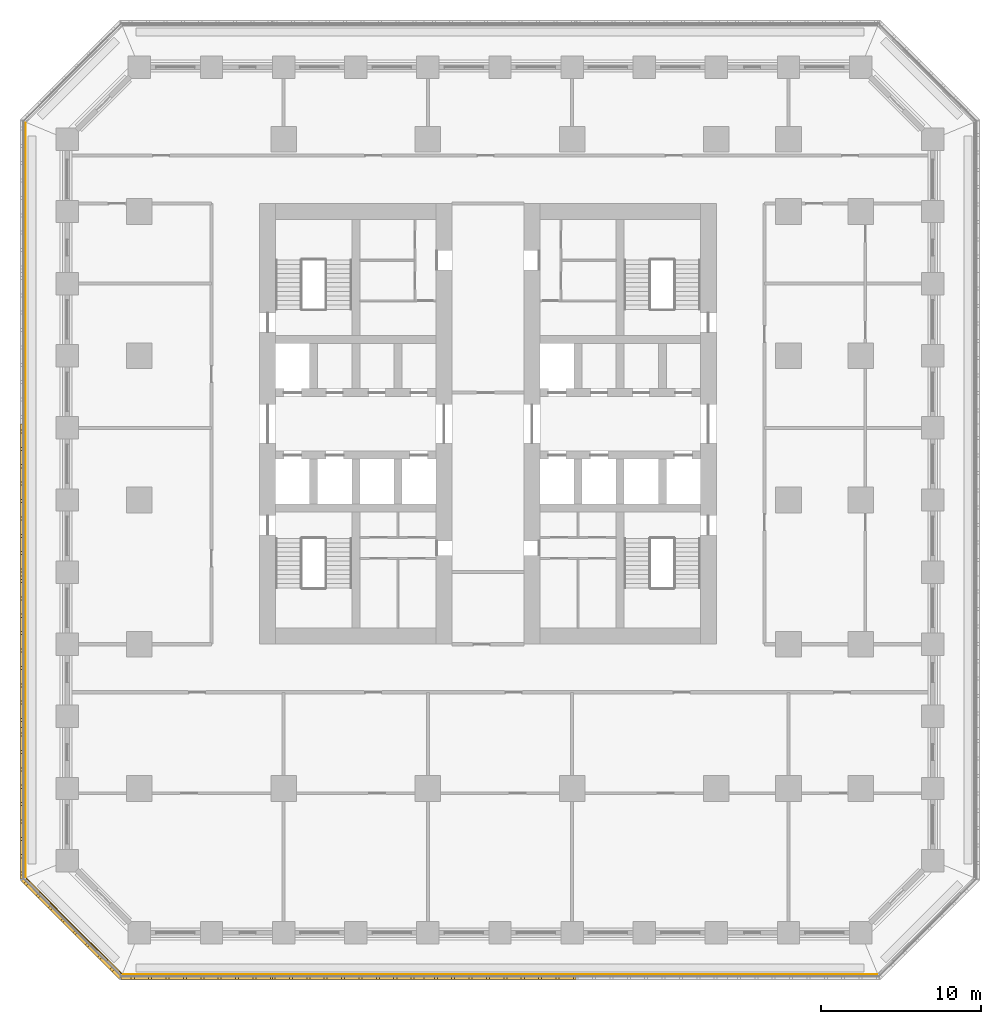
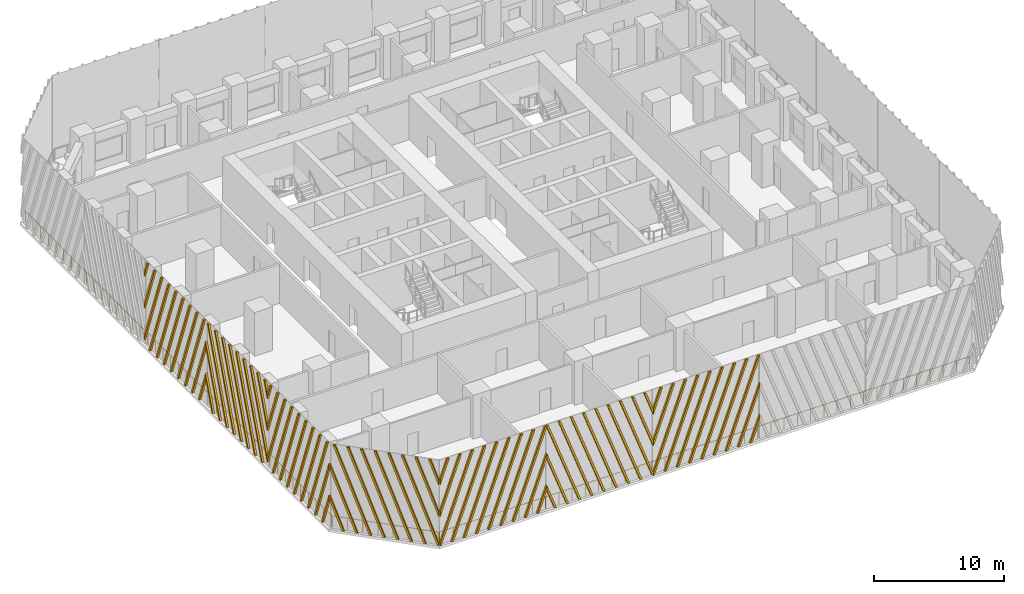
# One storey, part 9 of 14: 7 shading devices, 3 railings.
"""IFC4 building model written with IfcOpenShell, lengths in metres."""

from ifc_helpers import new_model, si_unit, direction, frame, origin, origin_2d, place, context, subcontext, project, spatial, polyline, circle, outline, extrude, source, transform, mapped, material, type_object, element, save


model = new_model("IFC4")

# Units and contexts
model_context = context("Model", 3, precision=1e-05, world=origin(), true_north=direction((0.0, 1.0)))
body_context = subcontext(model_context, "Body", "Model", "MODEL_VIEW")
ifc_project = project(units=[si_unit("LENGTHUNIT", "METRE"), si_unit("AREAUNIT", "SQUARE_METRE"), si_unit("VOLUMEUNIT", "CUBIC_METRE"), si_unit("PLANEANGLEUNIT", "RADIAN"), si_unit("MASSUNIT", "GRAM", prefix="KILO")], contexts=[model_context])

# Site, building, storey
site_placement = place(None, origin())
site = spatial("IfcSite", under=ifc_project, at=site_placement, CompositionType="ELEMENT")
building_placement = place(site_placement, origin())
building = spatial("IfcBuilding", under=site, at=building_placement, Name="Corbel Stack Research Tower", CompositionType="ELEMENT")
storey_placement = place(building_placement, frame((0.0, 0.0, 58.300048828125)))
storey = spatial("IfcBuildingStorey", under=building, at=storey_placement, Name="L13", CompositionType="ELEMENT", Elevation=58.300048828125)

# Railings
ifc_material_1 = material(Name="Powder-coated steel guard", Category="steel")
railing_type = type_object("IfcRailingType", Name="Steel and glass guard 1100", PredefinedType="GUARDRAIL", material=ifc_material_1)
railing_1_placement = place(storey_placement, frame((-19.00537109375, -29.60009765625, 0.0)))
element("IfcRailing", 1, at=railing_1_placement, inside=storey, type_object=railing_type, Name="Loggia guard L13 S", PredefinedType="GUARDRAIL", context=body_context, shape_type="SweptSolid", body=[
    extrude(circle(Radius=0.02392578125, at=origin_2d()), frame((0.0, 0.0, 1.076171875), z_axis=(1.0, 0.0, 0.0), x_axis=(0.0, 1.0, 0.0)), (0.0, 0.0, 1.0), 47.0107421875),
    extrude(circle(Radius=0.02099609375, at=origin_2d()), origin(), (0.0, 0.0, 1.0), 1.052001953125),
    extrude(circle(Radius=0.02099609375, at=origin_2d()), frame((1.17529296875, 0.0, 0.0)), (0.0, 0.0, 1.0), 1.052001953125),
    extrude(circle(Radius=0.02099609375, at=origin_2d()), frame((2.3505859375, 0.0, 0.0)), (0.0, 0.0, 1.0), 1.052001953125),
    extrude(circle(Radius=0.02099609375, at=origin_2d()), frame((3.52587890625, 0.0, 0.0)), (0.0, 0.0, 1.0), 1.052001953125),
    extrude(circle(Radius=0.02099609375, at=origin_2d()), frame((4.701171875, 0.0, 0.0)), (0.0, 0.0, 1.0), 1.052001953125),
    extrude(circle(Radius=0.02099609375, at=origin_2d()), frame((5.87646484375, 0.0, 0.0)), (0.0, 0.0, 1.0), 1.052001953125),
    extrude(circle(Radius=0.02099609375, at=origin_2d()), frame((7.051513671875, 0.0, 0.0)), (0.0, 0.0, 1.0), 1.052001953125),
    extrude(circle(Radius=0.02099609375, at=origin_2d()), frame((8.226806640625, 0.0, 0.0)), (0.0, 0.0, 1.0), 1.052001953125),
    extrude(circle(Radius=0.02099609375, at=origin_2d()), frame((9.402099609375, 0.0, 0.0)), (0.0, 0.0, 1.0), 1.052001953125),
    extrude(circle(Radius=0.02099609375, at=origin_2d()), frame((10.577392578125, 0.0, 0.0)), (0.0, 0.0, 1.0), 1.052001953125),
    extrude(circle(Radius=0.02099609375, at=origin_2d()), frame((11.752685546875, 0.0, 0.0)), (0.0, 0.0, 1.0), 1.052001953125),
    extrude(circle(Radius=0.02099609375, at=origin_2d()), frame((12.927978515625, 0.0, 0.0)), (0.0, 0.0, 1.0), 1.052001953125),
    extrude(circle(Radius=0.02099609375, at=origin_2d()), frame((14.103271484375, 0.0, 0.0)), (0.0, 0.0, 1.0), 1.052001953125),
    extrude(circle(Radius=0.02099609375, at=origin_2d()), frame((15.278564453125, 0.0, 0.0)), (0.0, 0.0, 1.0), 1.052001953125),
    extrude(circle(Radius=0.02099609375, at=origin_2d()), frame((16.453857421875, 0.0, 0.0)), (0.0, 0.0, 1.0), 1.052001953125),
    extrude(circle(Radius=0.02099609375, at=origin_2d()), frame((17.62890625, 0.0, 0.0)), (0.0, 0.0, 1.0), 1.052001953125),
    extrude(circle(Radius=0.02099609375, at=origin_2d()), frame((18.80419921875, 0.0, 0.0)), (0.0, 0.0, 1.0), 1.052001953125),
    extrude(circle(Radius=0.02099609375, at=origin_2d()), frame((19.9794921875, 0.0, 0.0)), (0.0, 0.0, 1.0), 1.052001953125),
    extrude(circle(Radius=0.02099609375, at=origin_2d()), frame((21.15478515625, 0.0, 0.0)), (0.0, 0.0, 1.0), 1.052001953125),
    extrude(circle(Radius=0.02099609375, at=origin_2d()), frame((22.330078125, 0.0, 0.0)), (0.0, 0.0, 1.0), 1.052001953125),
    extrude(circle(Radius=0.02099609375, at=origin_2d()), frame((23.50537109375, 0.0, 0.0)), (0.0, 0.0, 1.0), 1.052001953125),
    extrude(circle(Radius=0.02099609375, at=origin_2d()), frame((24.6806640625, 0.0, 0.0)), (0.0, 0.0, 1.0), 1.052001953125),
    extrude(circle(Radius=0.02099609375, at=origin_2d()), frame((25.85595703125, 0.0, 0.0)), (0.0, 0.0, 1.0), 1.052001953125),
    extrude(circle(Radius=0.02099609375, at=origin_2d()), frame((27.03125, 0.0, 0.0)), (0.0, 0.0, 1.0), 1.052001953125),
    extrude(circle(Radius=0.02099609375, at=origin_2d()), frame((28.20654296875, 0.0, 0.0)), (0.0, 0.0, 1.0), 1.052001953125),
    extrude(circle(Radius=0.02099609375, at=origin_2d()), frame((29.3818359375, 0.0, 0.0)), (0.0, 0.0, 1.0), 1.052001953125),
    extrude(circle(Radius=0.02099609375, at=origin_2d()), frame((30.556884765625, 0.0, 0.0)), (0.0, 0.0, 1.0), 1.052001953125),
    extrude(circle(Radius=0.02099609375, at=origin_2d()), frame((31.732177734375, 0.0, 0.0)), (0.0, 0.0, 1.0), 1.052001953125),
    extrude(circle(Radius=0.02099609375, at=origin_2d()), frame((32.907470703125, 0.0, 0.0)), (0.0, 0.0, 1.0), 1.052001953125),
    extrude(circle(Radius=0.02099609375, at=origin_2d()), frame((34.082763671875, 0.0, 0.0)), (0.0, 0.0, 1.0), 1.052001953125),
    extrude(circle(Radius=0.02099609375, at=origin_2d()), frame((35.258056640625, 0.0, 0.0)), (0.0, 0.0, 1.0), 1.052001953125),
    extrude(circle(Radius=0.02099609375, at=origin_2d()), frame((36.433349609375, 0.0, 0.0)), (0.0, 0.0, 1.0), 1.052001953125),
    extrude(circle(Radius=0.02099609375, at=origin_2d()), frame((37.608642578125, 0.0, 0.0)), (0.0, 0.0, 1.0), 1.052001953125),
    extrude(circle(Radius=0.02099609375, at=origin_2d()), frame((38.783935546875, 0.0, 0.0)), (0.0, 0.0, 1.0), 1.052001953125),
    extrude(circle(Radius=0.02099609375, at=origin_2d()), frame((39.959228515625, 0.0, 0.0)), (0.0, 0.0, 1.0), 1.052001953125),
    extrude(circle(Radius=0.02099609375, at=origin_2d()), frame((41.13427734375, 0.0, 0.0)), (0.0, 0.0, 1.0), 1.052001953125),
    extrude(circle(Radius=0.02099609375, at=origin_2d()), frame((42.3095703125, 0.0, 0.0)), (0.0, 0.0, 1.0), 1.052001953125),
    extrude(circle(Radius=0.02099609375, at=origin_2d()), frame((43.48486328125, 0.0, 0.0)), (0.0, 0.0, 1.0), 1.052001953125),
    extrude(circle(Radius=0.02099609375, at=origin_2d()), frame((44.66015625, 0.0, 0.0)), (0.0, 0.0, 1.0), 1.052001953125),
    extrude(circle(Radius=0.02099609375, at=origin_2d()), frame((45.83544921875, 0.0, 0.0)), (0.0, 0.0, 1.0), 1.052001953125),
    extrude(circle(Radius=0.02099609375, at=origin_2d()), frame((47.0107421875, 0.0, 0.0)), (0.0, 0.0, 1.0), 1.052001953125),
])
railing_2_placement = place(storey_placement, frame((-25.10009765625, 23.50537109375, 0.0)))
element("IfcRailing", 2, at=railing_2_placement, inside=storey, type_object=railing_type, Name="Loggia guard L13 W", PredefinedType="GUARDRAIL", context=body_context, shape_type="SweptSolid", body=[
    extrude(circle(Radius=0.02392578125, at=origin_2d()), frame((0.0, 0.0, 1.076171875), z_axis=(0.0, -1.0, 0.0), x_axis=(1.0, 0.0, 0.0)), (0.0, 0.0, 1.0), 47.0107421875),
    extrude(circle(Radius=0.02099609375, at=origin_2d()), origin(), (0.0, 0.0, 1.0), 1.052001953125),
    extrude(circle(Radius=0.02099609375, at=origin_2d()), frame((0.0, -1.17529296875, 0.0)), (0.0, 0.0, 1.0), 1.052001953125),
    extrude(circle(Radius=0.02099609375, at=origin_2d()), frame((0.0, -2.3505859375, 0.0)), (0.0, 0.0, 1.0), 1.052001953125),
    extrude(circle(Radius=0.02099609375, at=origin_2d()), frame((0.0, -3.52587890625, 0.0)), (0.0, 0.0, 1.0), 1.052001953125),
    extrude(circle(Radius=0.02099609375, at=origin_2d()), frame((0.0, -4.701171875, 0.0)), (0.0, 0.0, 1.0), 1.052001953125),
    extrude(circle(Radius=0.02099609375, at=origin_2d()), frame((0.0, -5.87646484375, 0.0)), (0.0, 0.0, 1.0), 1.052001953125),
    extrude(circle(Radius=0.02099609375, at=origin_2d()), frame((0.0, -7.051513671875, 0.0)), (0.0, 0.0, 1.0), 1.052001953125),
    extrude(circle(Radius=0.02099609375, at=origin_2d()), frame((0.0, -8.226806640625, 0.0)), (0.0, 0.0, 1.0), 1.052001953125),
    extrude(circle(Radius=0.02099609375, at=origin_2d()), frame((0.0, -9.402099609375, 0.0)), (0.0, 0.0, 1.0), 1.052001953125),
    extrude(circle(Radius=0.02099609375, at=origin_2d()), frame((0.0, -10.577392578125, 0.0)), (0.0, 0.0, 1.0), 1.052001953125),
    extrude(circle(Radius=0.02099609375, at=origin_2d()), frame((0.0, -11.752685546875, 0.0)), (0.0, 0.0, 1.0), 1.052001953125),
    extrude(circle(Radius=0.02099609375, at=origin_2d()), frame((0.0, -12.927978515625, 0.0)), (0.0, 0.0, 1.0), 1.052001953125),
    extrude(circle(Radius=0.02099609375, at=origin_2d()), frame((0.0, -14.103271484375, 0.0)), (0.0, 0.0, 1.0), 1.052001953125),
    extrude(circle(Radius=0.02099609375, at=origin_2d()), frame((0.0, -15.278564453125, 0.0)), (0.0, 0.0, 1.0), 1.052001953125),
    extrude(circle(Radius=0.02099609375, at=origin_2d()), frame((0.0, -16.453857421875, 0.0)), (0.0, 0.0, 1.0), 1.052001953125),
    extrude(circle(Radius=0.02099609375, at=origin_2d()), frame((0.0, -17.62890625, 0.0)), (0.0, 0.0, 1.0), 1.052001953125),
    extrude(circle(Radius=0.02099609375, at=origin_2d()), frame((0.0, -18.80419921875, 0.0)), (0.0, 0.0, 1.0), 1.052001953125),
    extrude(circle(Radius=0.02099609375, at=origin_2d()), frame((0.0, -19.9794921875, 0.0)), (0.0, 0.0, 1.0), 1.052001953125),
    extrude(circle(Radius=0.02099609375, at=origin_2d()), frame((0.0, -21.15478515625, 0.0)), (0.0, 0.0, 1.0), 1.052001953125),
    extrude(circle(Radius=0.02099609375, at=origin_2d()), frame((0.0, -22.330078125, 0.0)), (0.0, 0.0, 1.0), 1.052001953125),
    extrude(circle(Radius=0.02099609375, at=origin_2d()), frame((0.0, -23.50537109375, 0.0)), (0.0, 0.0, 1.0), 1.052001953125),
    extrude(circle(Radius=0.02099609375, at=origin_2d()), frame((0.0, -24.6806640625, 0.0)), (0.0, 0.0, 1.0), 1.052001953125),
    extrude(circle(Radius=0.02099609375, at=origin_2d()), frame((0.0, -25.85595703125, 0.0)), (0.0, 0.0, 1.0), 1.052001953125),
    extrude(circle(Radius=0.02099609375, at=origin_2d()), frame((0.0, -27.03125, 0.0)), (0.0, 0.0, 1.0), 1.052001953125),
    extrude(circle(Radius=0.02099609375, at=origin_2d()), frame((0.0, -28.20654296875, 0.0)), (0.0, 0.0, 1.0), 1.052001953125),
    extrude(circle(Radius=0.02099609375, at=origin_2d()), frame((0.0, -29.3818359375, 0.0)), (0.0, 0.0, 1.0), 1.052001953125),
    extrude(circle(Radius=0.02099609375, at=origin_2d()), frame((0.0, -30.556884765625, 0.0)), (0.0, 0.0, 1.0), 1.052001953125),
    extrude(circle(Radius=0.02099609375, at=origin_2d()), frame((0.0, -31.732177734375, 0.0)), (0.0, 0.0, 1.0), 1.052001953125),
    extrude(circle(Radius=0.02099609375, at=origin_2d()), frame((0.0, -32.907470703125, 0.0)), (0.0, 0.0, 1.0), 1.052001953125),
    extrude(circle(Radius=0.02099609375, at=origin_2d()), frame((0.0, -34.082763671875, 0.0)), (0.0, 0.0, 1.0), 1.052001953125),
    extrude(circle(Radius=0.02099609375, at=origin_2d()), frame((0.0, -35.258056640625, 0.0)), (0.0, 0.0, 1.0), 1.052001953125),
    extrude(circle(Radius=0.02099609375, at=origin_2d()), frame((0.0, -36.433349609375, 0.0)), (0.0, 0.0, 1.0), 1.052001953125),
    extrude(circle(Radius=0.02099609375, at=origin_2d()), frame((0.0, -37.608642578125, 0.0)), (0.0, 0.0, 1.0), 1.052001953125),
    extrude(circle(Radius=0.02099609375, at=origin_2d()), frame((0.0, -38.783935546875, 0.0)), (0.0, 0.0, 1.0), 1.052001953125),
    extrude(circle(Radius=0.02099609375, at=origin_2d()), frame((0.0, -39.959228515625, 0.0)), (0.0, 0.0, 1.0), 1.052001953125),
    extrude(circle(Radius=0.02099609375, at=origin_2d()), frame((0.0, -41.13427734375, 0.0)), (0.0, 0.0, 1.0), 1.052001953125),
    extrude(circle(Radius=0.02099609375, at=origin_2d()), frame((0.0, -42.3095703125, 0.0)), (0.0, 0.0, 1.0), 1.052001953125),
    extrude(circle(Radius=0.02099609375, at=origin_2d()), frame((0.0, -43.48486328125, 0.0)), (0.0, 0.0, 1.0), 1.052001953125),
    extrude(circle(Radius=0.02099609375, at=origin_2d()), frame((0.0, -44.66015625, 0.0)), (0.0, 0.0, 1.0), 1.052001953125),
    extrude(circle(Radius=0.02099609375, at=origin_2d()), frame((0.0, -45.83544921875, 0.0)), (0.0, 0.0, 1.0), 1.052001953125),
    extrude(circle(Radius=0.02099609375, at=origin_2d()), frame((0.0, -47.0107421875, 0.0)), (0.0, 0.0, 1.0), 1.052001953125),
])
railing_3_placement = place(storey_placement, frame((-25.04931640625, -23.627685546875, 0.0)))
element("IfcRailing", 3, at=railing_3_placement, inside=storey, type_object=railing_type, Name="Loggia guard L13 SW", PredefinedType="GUARDRAIL", context=body_context, shape_type="SweptSolid", body=[
    extrude(circle(Radius=0.02392578125, at=origin_2d()), frame((0.0, 0.0, 1.076171875), z_axis=(0.707106781187, -0.707106781187, 0.0), x_axis=(0.707106781187, 0.707106781187, 0.0)), (0.0, 0.0, 1.0), 8.37451171875),
    extrude(circle(Radius=0.02099609375, at=origin_2d()), origin(), (0.0, 0.0, 1.0), 1.052001953125),
    extrude(circle(Radius=0.02099609375, at=origin_2d()), frame((0.845947265625, -0.845947265625, 0.0)), (0.0, 0.0, 1.0), 1.052001953125),
    extrude(circle(Radius=0.02099609375, at=origin_2d()), frame((1.69189453125, -1.69189453125, 0.0)), (0.0, 0.0, 1.0), 1.052001953125),
    extrude(circle(Radius=0.02099609375, at=origin_2d()), frame((2.537841796875, -2.537841796875, 0.0)), (0.0, 0.0, 1.0), 1.052001953125),
    extrude(circle(Radius=0.02099609375, at=origin_2d()), frame((3.3837890625, -3.3837890625, 0.0)), (0.0, 0.0, 1.0), 1.052001953125),
    extrude(circle(Radius=0.02099609375, at=origin_2d()), frame((4.229736328125, -4.229736328125, 0.0)), (0.0, 0.0, 1.0), 1.052001953125),
    extrude(circle(Radius=0.02099609375, at=origin_2d()), frame((5.07568359375, -5.07568359375, 0.0)), (0.0, 0.0, 1.0), 1.052001953125),
    extrude(circle(Radius=0.02099609375, at=origin_2d()), frame((5.921630859375, -5.921630859375, 0.0)), (0.0, 0.0, 1.0), 1.052001953125),
])

# Shading devices
ifc_material_2 = material(Name="Precast terracotta", Category="masonry")
shading_device_type = type_object("IfcShadingDeviceType", Name="Terracotta screen panel", PredefinedType="USERDEFINED", material=ifc_material_2)
shared_shape_1 = source(origin(), body_context, "Body", "SweptSolid", [
    extrude(outline(polyline([(0.819091796875, 7.949951171875), (0.629150390625, 7.949951171875), (0.0, 6.22119140625), (0.0, 5.69921875), (0.819091796875, 7.949951171875)])), frame((0.0, 0.0, 0.0), z_axis=(0.0, -1.0, 0.0), x_axis=(1.0, 0.0, 0.0)), (0.0, 0.0, 1.0), 0.179931640625),
    extrude(outline(polyline([(1.90380859375, 7.949951171875), (1.7138671875, 7.949951171875), (0.0, 3.2412109375), (0.0, 2.718994140625), (1.90380859375, 7.949951171875)])), frame((0.0, 0.0, 0.0), z_axis=(0.0, -1.0, 0.0), x_axis=(1.0, 0.0, 0.0)), (0.0, 0.0, 1.0), 0.179931640625),
    extrude(outline(polyline([(0.094970703125, 0.0), (2.988525390625, 7.949951171875), (2.798583984375, 7.949951171875), (0.0, 0.260986328125), (0.0, 0.0), (0.094970703125, 0.0)])), frame((0.0, 0.0, 0.0), z_axis=(0.0, -1.0, 0.0), x_axis=(1.0, 0.0, 0.0)), (0.0, 0.0, 1.0), 0.179931640625),
    extrude(outline(polyline([(1.1796875, 0.0), (4.0732421875, 7.949951171875), (3.88330078125, 7.949951171875), (0.98974609375, 0.0), (1.1796875, 0.0)])), frame((0.0, 0.0, 0.0), z_axis=(0.0, -1.0, 0.0), x_axis=(1.0, 0.0, 0.0)), (0.0, 0.0, 1.0), 0.179931640625),
    extrude(outline(polyline([(2.264404296875, 0.0), (5.157958984375, 7.949951171875), (4.968017578125, 7.949951171875), (2.07421875, 0.0), (2.264404296875, 0.0)])), frame((0.0, 0.0, 0.0), z_axis=(0.0, -1.0, 0.0), x_axis=(1.0, 0.0, 0.0)), (0.0, 0.0, 1.0), 0.179931640625),
    extrude(outline(polyline([(3.34912109375, 0.0), (6.24267578125, 7.949951171875), (6.052490234375, 7.949951171875), (3.158935546875, 0.0), (3.34912109375, 0.0)])), frame((0.0, 0.0, 0.0), z_axis=(0.0, -1.0, 0.0), x_axis=(1.0, 0.0, 0.0)), (0.0, 0.0, 1.0), 0.179931640625),
    extrude(outline(polyline([(4.43359375, 0.0), (7.3271484375, 7.949951171875), (7.13720703125, 7.949951171875), (4.24365234375, 0.0), (4.43359375, 0.0)])), frame((0.0, 0.0, 0.0), z_axis=(0.0, -1.0, 0.0), x_axis=(1.0, 0.0, 0.0)), (0.0, 0.0, 1.0), 0.179931640625),
    extrude(outline(polyline([(5.518310546875, 0.0), (8.411865234375, 7.949951171875), (8.221923828125, 7.949951171875), (5.328369140625, 0.0), (5.518310546875, 0.0)])), frame((0.0, 0.0, 0.0), z_axis=(0.0, -1.0, 0.0), x_axis=(1.0, 0.0, 0.0)), (0.0, 0.0, 1.0), 0.179931640625),
    extrude(outline(polyline([(6.60302734375, 0.0), (9.45556640625, 7.837646484375), (9.45556640625, 7.949951171875), (9.306640625, 7.949951171875), (6.4130859375, 0.0), (6.60302734375, 0.0)])), frame((0.0, 0.0, 0.0), z_axis=(0.0, -1.0, 0.0), x_axis=(1.0, 0.0, 0.0)), (0.0, 0.0, 1.0), 0.179931640625),
    extrude(outline(polyline([(7.687744140625, 0.0), (9.45556640625, 4.857421875), (9.45556640625, 5.37939453125), (7.497802734375, 0.0), (7.687744140625, 0.0)])), frame((0.0, 0.0, 0.0), z_axis=(0.0, -1.0, 0.0), x_axis=(1.0, 0.0, 0.0)), (0.0, 0.0, 1.0), 0.179931640625),
    extrude(outline(polyline([(8.772216796875, 0.0), (9.45556640625, 1.87744140625), (9.45556640625, 2.3994140625), (8.582275390625, 0.0), (8.772216796875, 0.0)])), frame((0.0, 0.0, 0.0), z_axis=(0.0, -1.0, 0.0), x_axis=(1.0, 0.0, 0.0)), (0.0, 0.0, 1.0), 0.179931640625),
])
for number, where, z_axis, x_axis, name in (
    (4, (-19.13916015625, -29.75, 0.0), (0.0, 0.0, 1.0), (1.0, 0.0, 0.0), "Terracotta screen L13 S1"),
    (5, (-0.227783203125, -29.75, 0.0), (0.0, 0.0, 1.0), (1.0, 0.0, 0.0), "Terracotta screen L13 S3"),
):
    element("IfcShadingDevice", number, at=place(storey_placement, frame(where, z_axis=z_axis, x_axis=x_axis)), inside=storey, type_object=shading_device_type, Name=name, ObjectType="SCREEN", PredefinedType="USERDEFINED", context=body_context, shape_type="MappedRepresentation", body=[
        mapped(shared_shape_1, transform((0.0, 0.0, 0.0))),
    ])
shared_shape_2 = source(origin(), body_context, "Body", "SweptSolid", [
    extrude(outline(polyline([(0.873291015625, 0.0), (0.0, 2.3994140625), (0.0, 1.87744140625), (0.683349609375, 0.0), (0.873291015625, 0.0)])), frame((0.0, 0.0, 0.0), z_axis=(0.0, -1.0, 0.0), x_axis=(1.0, 0.0, 0.0)), (0.0, 0.0, 1.0), 0.179931640625),
    extrude(outline(polyline([(1.9580078125, 0.0), (0.0, 5.37939453125), (0.0, 4.857421875), (1.76806640625, 0.0), (1.9580078125, 0.0)])), frame((0.0, 0.0, 0.0), z_axis=(0.0, -1.0, 0.0), x_axis=(1.0, 0.0, 0.0)), (0.0, 0.0, 1.0), 0.179931640625),
    extrude(outline(polyline([(3.04248046875, 0.0), (0.149169921875, 7.949951171875), (0.0, 7.949951171875), (0.0, 7.837646484375), (2.8525390625, 0.0), (3.04248046875, 0.0)])), frame((0.0, 0.0, 0.0), z_axis=(0.0, -1.0, 0.0), x_axis=(1.0, 0.0, 0.0)), (0.0, 0.0, 1.0), 0.179931640625),
    extrude(outline(polyline([(4.127197265625, 0.0), (1.233642578125, 7.949951171875), (1.043701171875, 7.949951171875), (3.937255859375, 0.0), (4.127197265625, 0.0)])), frame((0.0, 0.0, 0.0), z_axis=(0.0, -1.0, 0.0), x_axis=(1.0, 0.0, 0.0)), (0.0, 0.0, 1.0), 0.179931640625),
    extrude(outline(polyline([(5.2119140625, 0.0), (2.318359375, 7.949951171875), (2.12841796875, 7.949951171875), (5.02197265625, 0.0), (5.2119140625, 0.0)])), frame((0.0, 0.0, 0.0), z_axis=(0.0, -1.0, 0.0), x_axis=(1.0, 0.0, 0.0)), (0.0, 0.0, 1.0), 0.179931640625),
    extrude(outline(polyline([(6.296630859375, 0.0), (3.403076171875, 7.949951171875), (3.213134765625, 7.949951171875), (6.106689453125, 0.0), (6.296630859375, 0.0)])), frame((0.0, 0.0, 0.0), z_axis=(0.0, -1.0, 0.0), x_axis=(1.0, 0.0, 0.0)), (0.0, 0.0, 1.0), 0.179931640625),
    extrude(outline(polyline([(7.38134765625, 0.0), (4.48779296875, 7.949951171875), (4.297607421875, 7.949951171875), (7.19140625, 0.0), (7.38134765625, 0.0)])), frame((0.0, 0.0, 0.0), z_axis=(0.0, -1.0, 0.0), x_axis=(1.0, 0.0, 0.0)), (0.0, 0.0, 1.0), 0.179931640625),
    extrude(outline(polyline([(8.466064453125, 0.0), (5.572509765625, 7.949951171875), (5.38232421875, 7.949951171875), (8.27587890625, 0.0), (8.466064453125, 0.0)])), frame((0.0, 0.0, 0.0), z_axis=(0.0, -1.0, 0.0), x_axis=(1.0, 0.0, 0.0)), (0.0, 0.0, 1.0), 0.179931640625),
    extrude(outline(polyline([(9.45556640625, 0.0), (9.45556640625, 0.260986328125), (6.656982421875, 7.949951171875), (6.467041015625, 7.949951171875), (9.360595703125, 0.0), (9.45556640625, 0.0)])), frame((0.0, 0.0, 0.0), z_axis=(0.0, -1.0, 0.0), x_axis=(1.0, 0.0, 0.0)), (0.0, 0.0, 1.0), 0.179931640625),
    extrude(outline(polyline([(7.74169921875, 7.949951171875), (7.5517578125, 7.949951171875), (9.45556640625, 2.718994140625), (9.45556640625, 3.2412109375), (7.74169921875, 7.949951171875)])), frame((0.0, 0.0, 0.0), z_axis=(0.0, -1.0, 0.0), x_axis=(1.0, 0.0, 0.0)), (0.0, 0.0, 1.0), 0.179931640625),
    extrude(outline(polyline([(8.826416015625, 7.949951171875), (8.636474609375, 7.949951171875), (9.45556640625, 5.69921875), (9.45556640625, 6.22119140625), (8.826416015625, 7.949951171875)])), frame((0.0, 0.0, 0.0), z_axis=(0.0, -1.0, 0.0), x_axis=(1.0, 0.0, 0.0)), (0.0, 0.0, 1.0), 0.179931640625),
])
shading_device_1_placement = place(storey_placement, frame((-9.68359375, -29.75, 0.0), z_axis=(0.0, 0.0, 1.0), x_axis=(1.0, 0.0, 0.0)))
element("IfcShadingDevice", 6, at=shading_device_1_placement, inside=storey, type_object=shading_device_type, Name="Terracotta screen L13 S2", ObjectType="SCREEN", PredefinedType="USERDEFINED", context=body_context, shape_type="MappedRepresentation", body=[
    mapped(shared_shape_2, transform((0.0, 0.0, 0.0))),
])
shared_shape_3 = source(origin(), body_context, "Body", "SweptSolid", [
    extrude(outline(polyline([(0.548095703125, 7.949951171875), (0.358154296875, 7.949951171875), (0.0, 6.96630859375), (0.0, 6.444091796875), (0.548095703125, 7.949951171875)])), frame((0.0, 0.0, 0.0), z_axis=(0.0, -1.0, 0.0), x_axis=(1.0, 0.0, 0.0)), (0.0, 0.0, 1.0), 0.179931640625),
    extrude(outline(polyline([(1.6328125, 7.949951171875), (1.442626953125, 7.949951171875), (0.0, 3.986083984375), (0.0, 3.464111328125), (1.6328125, 7.949951171875)])), frame((0.0, 0.0, 0.0), z_axis=(0.0, -1.0, 0.0), x_axis=(1.0, 0.0, 0.0)), (0.0, 0.0, 1.0), 0.179931640625),
    extrude(outline(polyline([(2.71728515625, 7.949951171875), (2.52734375, 7.949951171875), (0.0, 1.006103515625), (0.0, 0.48388671875), (2.71728515625, 7.949951171875)])), frame((0.0, 0.0, 0.0), z_axis=(0.0, -1.0, 0.0), x_axis=(1.0, 0.0, 0.0)), (0.0, 0.0, 1.0), 0.179931640625),
    extrude(outline(polyline([(0.908447265625, 0.0), (3.802001953125, 7.949951171875), (3.612060546875, 7.949951171875), (0.718505859375, 0.0), (0.908447265625, 0.0)])), frame((0.0, 0.0, 0.0), z_axis=(0.0, -1.0, 0.0), x_axis=(1.0, 0.0, 0.0)), (0.0, 0.0, 1.0), 0.179931640625),
    extrude(outline(polyline([(1.9931640625, 0.0), (4.88671875, 7.949951171875), (4.69677734375, 7.949951171875), (1.80322265625, 0.0), (1.9931640625, 0.0)])), frame((0.0, 0.0, 0.0), z_axis=(0.0, -1.0, 0.0), x_axis=(1.0, 0.0, 0.0)), (0.0, 0.0, 1.0), 0.179931640625),
    extrude(outline(polyline([(3.077880859375, 0.0), (5.971435546875, 7.949951171875), (5.781494140625, 7.949951171875), (2.8876953125, 0.0), (3.077880859375, 0.0)])), frame((0.0, 0.0, 0.0), z_axis=(0.0, -1.0, 0.0), x_axis=(1.0, 0.0, 0.0)), (0.0, 0.0, 1.0), 0.179931640625),
    extrude(outline(polyline([(4.16259765625, 0.0), (7.05615234375, 7.949951171875), (6.8662109375, 7.949951171875), (3.972412109375, 0.0), (4.16259765625, 0.0)])), frame((0.0, 0.0, 0.0), z_axis=(0.0, -1.0, 0.0), x_axis=(1.0, 0.0, 0.0)), (0.0, 0.0, 1.0), 0.179931640625),
    extrude(outline(polyline([(5.247314453125, 0.0), (8.140625, 7.949951171875), (7.95068359375, 7.949951171875), (5.05712890625, 0.0), (5.247314453125, 0.0)])), frame((0.0, 0.0, 0.0), z_axis=(0.0, -1.0, 0.0), x_axis=(1.0, 0.0, 0.0)), (0.0, 0.0, 1.0), 0.179931640625),
    extrude(outline(polyline([(6.331787109375, 0.0), (9.225341796875, 7.949951171875), (9.035400390625, 7.949951171875), (6.141845703125, 0.0), (6.331787109375, 0.0)])), frame((0.0, 0.0, 0.0), z_axis=(0.0, -1.0, 0.0), x_axis=(1.0, 0.0, 0.0)), (0.0, 0.0, 1.0), 0.179931640625),
    extrude(outline(polyline([(7.41650390625, 0.0), (9.45556640625, 5.6025390625), (9.45556640625, 6.12451171875), (7.2265625, 0.0), (7.41650390625, 0.0)])), frame((0.0, 0.0, 0.0), z_axis=(0.0, -1.0, 0.0), x_axis=(1.0, 0.0, 0.0)), (0.0, 0.0, 1.0), 0.179931640625),
    extrude(outline(polyline([(8.501220703125, 0.0), (9.45556640625, 2.622314453125), (9.45556640625, 3.144287109375), (8.311279296875, 0.0), (8.501220703125, 0.0)])), frame((0.0, 0.0, 0.0), z_axis=(0.0, -1.0, 0.0), x_axis=(1.0, 0.0, 0.0)), (0.0, 0.0, 1.0), 0.179931640625),
])
for number, where, z_axis, x_axis, name in (
    (7, (-25.25, 4.727783203125, 0.0), (0.0, 0.0, 1.0), (0.0, -1.0, 0.0), "Terracotta screen L13 W3"),
    (8, (-25.25, -14.18359375, 0.0), (0.0, 0.0, 1.0), (0.0, -1.0, 0.0), "Terracotta screen L13 W5"),
):
    element("IfcShadingDevice", number, at=place(storey_placement, frame(where, z_axis=z_axis, x_axis=x_axis)), inside=storey, type_object=shading_device_type, Name=name, ObjectType="SCREEN", PredefinedType="USERDEFINED", context=body_context, shape_type="MappedRepresentation", body=[
        mapped(shared_shape_3, transform((0.0, 0.0, 0.0))),
    ])
shared_shape_4 = source(origin(), body_context, "Body", "SweptSolid", [
    extrude(outline(polyline([(1.14453125, 0.0), (0.0, 3.144287109375), (0.0, 2.622314453125), (0.95458984375, 0.0), (1.14453125, 0.0)])), frame((0.0, 0.0, 0.0), z_axis=(0.0, -1.0, 0.0), x_axis=(1.0, 0.0, 0.0)), (0.0, 0.0, 1.0), 0.179931640625),
    extrude(outline(polyline([(2.22900390625, 0.0), (0.0, 6.12451171875), (0.0, 5.6025390625), (2.0390625, 0.0), (2.22900390625, 0.0)])), frame((0.0, 0.0, 0.0), z_axis=(0.0, -1.0, 0.0), x_axis=(1.0, 0.0, 0.0)), (0.0, 0.0, 1.0), 0.179931640625),
    extrude(outline(polyline([(3.313720703125, 0.0), (0.420166015625, 7.949951171875), (0.230224609375, 7.949951171875), (3.123779296875, 0.0), (3.313720703125, 0.0)])), frame((0.0, 0.0, 0.0), z_axis=(0.0, -1.0, 0.0), x_axis=(1.0, 0.0, 0.0)), (0.0, 0.0, 1.0), 0.179931640625),
    extrude(outline(polyline([(4.3984375, 0.0), (1.5048828125, 7.949951171875), (1.31494140625, 7.949951171875), (4.20849609375, 0.0), (4.3984375, 0.0)])), frame((0.0, 0.0, 0.0), z_axis=(0.0, -1.0, 0.0), x_axis=(1.0, 0.0, 0.0)), (0.0, 0.0, 1.0), 0.179931640625),
    extrude(outline(polyline([(5.483154296875, 0.0), (2.589599609375, 7.949951171875), (2.399658203125, 7.949951171875), (5.293212890625, 0.0), (5.483154296875, 0.0)])), frame((0.0, 0.0, 0.0), z_axis=(0.0, -1.0, 0.0), x_axis=(1.0, 0.0, 0.0)), (0.0, 0.0, 1.0), 0.179931640625),
    extrude(outline(polyline([(6.56787109375, 0.0), (3.67431640625, 7.949951171875), (3.484130859375, 7.949951171875), (6.377685546875, 0.0), (6.56787109375, 0.0)])), frame((0.0, 0.0, 0.0), z_axis=(0.0, -1.0, 0.0), x_axis=(1.0, 0.0, 0.0)), (0.0, 0.0, 1.0), 0.179931640625),
    extrude(outline(polyline([(7.652587890625, 0.0), (4.7587890625, 7.949951171875), (4.56884765625, 7.949951171875), (7.46240234375, 0.0), (7.652587890625, 0.0)])), frame((0.0, 0.0, 0.0), z_axis=(0.0, -1.0, 0.0), x_axis=(1.0, 0.0, 0.0)), (0.0, 0.0, 1.0), 0.179931640625),
    extrude(outline(polyline([(8.737060546875, 0.0), (5.843505859375, 7.949951171875), (5.653564453125, 7.949951171875), (8.547119140625, 0.0), (8.737060546875, 0.0)])), frame((0.0, 0.0, 0.0), z_axis=(0.0, -1.0, 0.0), x_axis=(1.0, 0.0, 0.0)), (0.0, 0.0, 1.0), 0.179931640625),
    extrude(outline(polyline([(6.92822265625, 7.949951171875), (6.73828125, 7.949951171875), (9.45556640625, 0.48388671875), (9.45556640625, 1.006103515625), (6.92822265625, 7.949951171875)])), frame((0.0, 0.0, 0.0), z_axis=(0.0, -1.0, 0.0), x_axis=(1.0, 0.0, 0.0)), (0.0, 0.0, 1.0), 0.179931640625),
    extrude(outline(polyline([(8.012939453125, 7.949951171875), (7.822998046875, 7.949951171875), (9.45556640625, 3.464111328125), (9.45556640625, 3.986083984375), (8.012939453125, 7.949951171875)])), frame((0.0, 0.0, 0.0), z_axis=(0.0, -1.0, 0.0), x_axis=(1.0, 0.0, 0.0)), (0.0, 0.0, 1.0), 0.179931640625),
    extrude(outline(polyline([(9.09765625, 7.949951171875), (8.90771484375, 7.949951171875), (9.45556640625, 6.444091796875), (9.45556640625, 6.96630859375), (9.09765625, 7.949951171875)])), frame((0.0, 0.0, 0.0), z_axis=(0.0, -1.0, 0.0), x_axis=(1.0, 0.0, 0.0)), (0.0, 0.0, 1.0), 0.179931640625),
])
shading_device_2_placement = place(storey_placement, frame((-25.25, -4.727783203125, 0.0), z_axis=(0.0, 0.0, 1.0), x_axis=(0.0, -1.0, 0.0)))
element("IfcShadingDevice", 9, at=shading_device_2_placement, inside=storey, type_object=shading_device_type, Name="Terracotta screen L13 W4", ObjectType="SCREEN", PredefinedType="USERDEFINED", context=body_context, shape_type="MappedRepresentation", body=[
    mapped(shared_shape_4, transform((0.0, 0.0, 0.0))),
])
shared_shape_5 = source(origin(), body_context, "Body", "SweptSolid", [
    extrude(outline(polyline([(1.14453125, 0.0), (0.0, 3.144287109375), (0.0, 2.622314453125), (0.95458984375, 0.0), (1.14453125, 0.0)])), frame((0.0, 0.0, 0.0), z_axis=(0.0, -1.0, 0.0), x_axis=(1.0, 0.0, 0.0)), (0.0, 0.0, 1.0), 0.179931640625),
    extrude(outline(polyline([(2.22900390625, 0.0), (0.0, 6.12451171875), (0.0, 5.6025390625), (2.0390625, 0.0), (2.22900390625, 0.0)])), frame((0.0, 0.0, 0.0), z_axis=(0.0, -1.0, 0.0), x_axis=(1.0, 0.0, 0.0)), (0.0, 0.0, 1.0), 0.179931640625),
    extrude(outline(polyline([(3.313720703125, 0.0), (0.420166015625, 7.949951171875), (0.230224609375, 7.949951171875), (3.123779296875, 0.0), (3.313720703125, 0.0)])), frame((0.0, 0.0, 0.0), z_axis=(0.0, -1.0, 0.0), x_axis=(1.0, 0.0, 0.0)), (0.0, 0.0, 1.0), 0.179931640625),
    extrude(outline(polyline([(4.3984375, 0.0), (1.5048828125, 7.949951171875), (1.31494140625, 7.949951171875), (4.20849609375, 0.0), (4.3984375, 0.0)])), frame((0.0, 0.0, 0.0), z_axis=(0.0, -1.0, 0.0), x_axis=(1.0, 0.0, 0.0)), (0.0, 0.0, 1.0), 0.179931640625),
    extrude(outline(polyline([(5.483154296875, 0.0), (2.589599609375, 7.949951171875), (2.399658203125, 7.949951171875), (5.293212890625, 0.0), (5.483154296875, 0.0)])), frame((0.0, 0.0, 0.0), z_axis=(0.0, -1.0, 0.0), x_axis=(1.0, 0.0, 0.0)), (0.0, 0.0, 1.0), 0.179931640625),
    extrude(outline(polyline([(6.56787109375, 0.0), (3.67431640625, 7.949951171875), (3.484130859375, 7.949951171875), (6.377685546875, 0.0), (6.56787109375, 0.0)])), frame((0.0, 0.0, 0.0), z_axis=(0.0, -1.0, 0.0), x_axis=(1.0, 0.0, 0.0)), (0.0, 0.0, 1.0), 0.179931640625),
    extrude(outline(polyline([(7.652587890625, 0.0), (4.7587890625, 7.949951171875), (4.56884765625, 7.949951171875), (7.46240234375, 0.0), (7.652587890625, 0.0)])), frame((0.0, 0.0, 0.0), z_axis=(0.0, -1.0, 0.0), x_axis=(1.0, 0.0, 0.0)), (0.0, 0.0, 1.0), 0.179931640625),
    extrude(outline(polyline([(8.64208984375, 0.0), (8.64208984375, 0.260986328125), (5.843505859375, 7.949951171875), (5.653564453125, 7.949951171875), (8.547119140625, 0.0), (8.64208984375, 0.0)])), frame((0.0, 0.0, 0.0), z_axis=(0.0, -1.0, 0.0), x_axis=(1.0, 0.0, 0.0)), (0.0, 0.0, 1.0), 0.179931640625),
    extrude(outline(polyline([(6.92822265625, 7.949951171875), (6.73828125, 7.949951171875), (8.64208984375, 2.718994140625), (8.64208984375, 3.2412109375), (6.92822265625, 7.949951171875)])), frame((0.0, 0.0, 0.0), z_axis=(0.0, -1.0, 0.0), x_axis=(1.0, 0.0, 0.0)), (0.0, 0.0, 1.0), 0.179931640625),
    extrude(outline(polyline([(8.012939453125, 7.949951171875), (7.822998046875, 7.949951171875), (8.64208984375, 5.69921875), (8.64208984375, 6.22119140625), (8.012939453125, 7.949951171875)])), frame((0.0, 0.0, 0.0), z_axis=(0.0, -1.0, 0.0), x_axis=(1.0, 0.0, 0.0)), (0.0, 0.0, 1.0), 0.179931640625),
])
shading_device_3_placement = place(storey_placement, frame((-25.25, -23.63916015625, 0.0), z_axis=(0.0, 0.0, 1.0), x_axis=(0.707106781187, -0.707106781187, 0.0)))
element("IfcShadingDevice", 10, at=shading_device_3_placement, inside=storey, type_object=shading_device_type, Name="Terracotta screen L13 SW1", ObjectType="SCREEN", PredefinedType="USERDEFINED", context=body_context, shape_type="MappedRepresentation", body=[
    mapped(shared_shape_5, transform((0.0, 0.0, 0.0))),
])

save(model, "model.ifc")
